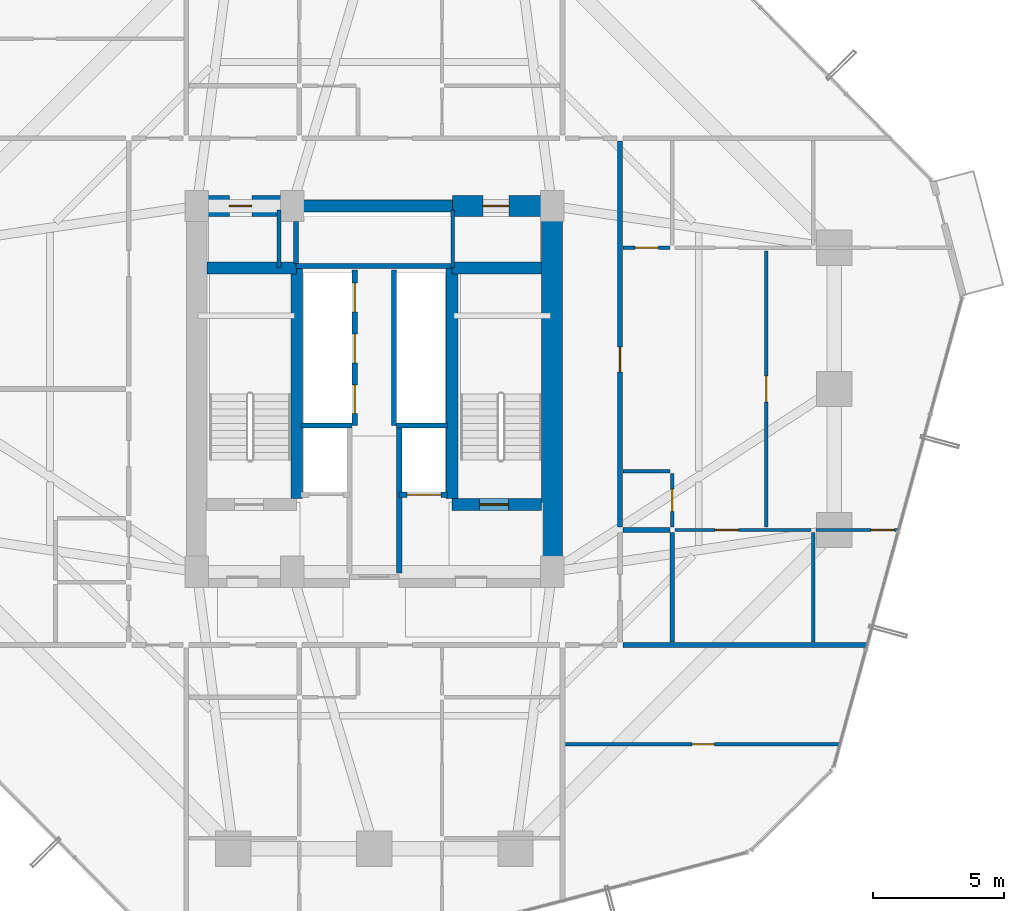
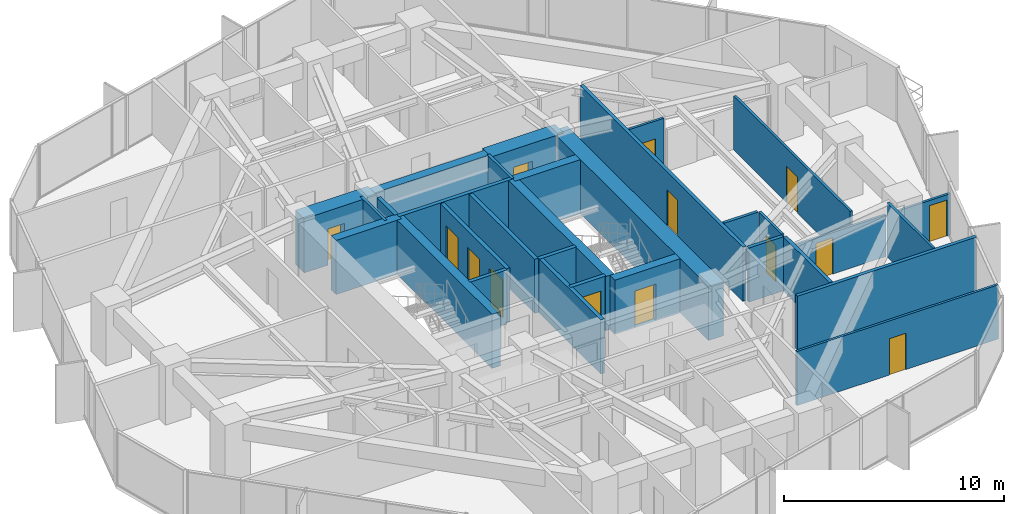
# One storey, part 35 of 39: 31 walls, 14 doors, 14 openings.
"""IFC4 building model written with IfcOpenShell, lengths in metres."""

from ifc_helpers import new_model, si_unit, direction, frame, frame_2d, origin, place, context, subcontext, project, spatial, rectangle, extrude, source, transform, mapped, material, layer, layer_set, type_object, element, fill, save


model = new_model("IFC4")

# Units and contexts
model_context = context("Model", 3, precision=1e-05, world=origin(), true_north=direction((0.0, 1.0)))
body_context = subcontext(model_context, "Body", "Model", "MODEL_VIEW")
ifc_project = project(units=[si_unit("LENGTHUNIT", "METRE"), si_unit("AREAUNIT", "SQUARE_METRE"), si_unit("VOLUMEUNIT", "CUBIC_METRE"), si_unit("PLANEANGLEUNIT", "RADIAN"), si_unit("MASSUNIT", "GRAM", prefix="KILO")], contexts=[model_context])

# Site, building, storey
site_placement = place(None, origin())
site = spatial("IfcSite", under=ifc_project, at=site_placement, CompositionType="ELEMENT")
building_placement = place(site_placement, origin())
building = spatial("IfcBuilding", under=site, at=building_placement, Name="Veraguas Prism Commons", CompositionType="ELEMENT")
storey_placement = place(building_placement, frame((0.0, 0.0, 73.85009765625)))
storey = spatial("IfcBuildingStorey", under=building, at=storey_placement, Name="L20", CompositionType="ELEMENT", Elevation=73.85009765625)

# Wall
ifc_material_1 = material(Name="Concrete C60/75", Category="concrete")
ifc_layer_1 = layer(ifc_material_1, 0.449951171875, Name="Core Internal Shear Wall Lower RC 450", Category="concrete")
ifc_layer_set_1 = layer_set([ifc_layer_1], Name="Concrete C60/75")
wall_type_1 = type_object("IfcWallType", Name="Core Internal Shear Wall Lower RC 450", PredefinedType="SHEAR", material=ifc_layer_set_1)
wall_1_placement = place(storey_placement, frame((21.0, 31.0, 0.0), z_axis=(0.0, 0.0, 1.0), x_axis=(1.0, 0.0, 0.0)))
element("IfcWall", 1, at=wall_1_placement, inside=storey, type_object=wall_type_1, Name="High-Rise Lift Bank Front Shear Wall L20", PredefinedType="SHEAR", context=body_context, shape_type="SweptSolid", body=[
    extrude(rectangle(XDim=6.0, YDim=0.449951171875, at=frame_2d((3.0, 0.0))), origin(), (0.0, 0.0, 1.0), 3.0),
])

# Wall, opening, door
wall_2_placement = place(storey_placement, frame((26.97509765625, 19.574951171875, 0.0), z_axis=(0.0, 0.0, 1.0), x_axis=(1.0, 0.0, 0.0)))
wall_2 = element("IfcWall", 2, at=wall_2_placement, inside=storey, type_object=wall_type_1, Name="Stair ST-02 South Shear Wall L20", PredefinedType="SHEAR", context=body_context, shape_type="SweptSolid", body=[
    extrude(rectangle(XDim=3.4248046875, YDim=0.449951171875, at=frame_2d((1.71240234375, 0.0))), origin(), (0.0, 0.0, 1.0), 3.0),
])
opening_1_placement = place(wall_2_placement, frame((1.050048828125, 0.0, 0.0)))
opening_1 = element("IfcOpeningElement", 3, at=opening_1_placement, cuts=wall_2, Name="Opening DR-05", PredefinedType="OPENING", context=body_context, shape_type="SweptSolid", body=[
    extrude(rectangle(XDim=1.10009765625, YDim=2.030029296875, at=frame_2d((0.550048828125, 1.01513671875))), frame((0.0, 0.23486328125, 0.0), z_axis=(0.0, -1.0, 0.0), x_axis=(1.0, 0.0, 0.0)), (0.0, 0.0, 1.0), 0.469970703125),
])
ifc_material_2 = material(Name="Steel fire-rated door assembly", Category="steel")
door_type_1 = type_object("IfcDoorType", Name="Protected Stair and Refuge Fire Door 1100x2030", OperationType="NOTDEFINED", PredefinedType="DOOR", material=ifc_material_2)
shared_shape_1 = source(origin(), body_context, "Body", "SweptSolid", [
    extrude(rectangle(XDim=1.10009765625, YDim=2.030029296875, at=frame_2d((0.550048828125, 1.01513671875))), frame((0.0, 0.02490234375, 0.0), z_axis=(0.0, -1.0, 0.0), x_axis=(1.0, 0.0, 0.0)), (0.0, 0.0, 1.0), 0.050048828125),
])
door_1_placement = place(opening_1_placement, origin())
door_1 = element("IfcDoor", 4, at=door_1_placement, inside=storey, type_object=door_type_1, Name="Stair ST-02 Enclosure Door L20", OperationType="SINGLE_SWING_LEFT", OverallHeight=2.030029296875, OverallWidth=1.10009765625, PredefinedType="DOOR", context=body_context, shape_type="MappedRepresentation", body=[
    mapped(shared_shape_1, transform((0.0, 0.0, 0.0), scale=1.0)),
])
fill(opening_1, door_1)

# Walls
for number, where, z_axis, x_axis, name in (
    (5, (21.02490234375, 19.800048828125, 0.0), (0.0, 0.0, 1.0), (0.0, 1.0, 0.0), "Stair ST-01 Inner Shear Wall L20"),
    (6, (26.97509765625, 19.800048828125, 0.0), (0.0, 0.0, 1.0), (0.0, 1.0, 0.0), "Stair ST-02 Inner Shear Wall L20"),
):
    element("IfcWall", number, at=place(storey_placement, frame(where, z_axis=z_axis, x_axis=x_axis)), inside=storey, type_object=wall_type_1, Name=name, PredefinedType="SHEAR", context=body_context, shape_type="SweptSolid", body=[
        extrude(rectangle(XDim=8.824951171875, YDim=0.449951171875, at=frame_2d((4.41259765625, 0.0))), origin(), (0.0, 0.0, 1.0), 3.0),
    ])
for number, where, z_axis, x_axis, name in (
    (7, (17.60009765625, 28.625, 0.0), (0.0, 0.0, 1.0), (1.0, 0.0, 0.0), "Stair ST-01 North Shear Wall L20"),
    (8, (26.97509765625, 28.625, 0.0), (0.0, 0.0, 1.0), (1.0, 0.0, 0.0), "Stair ST-02 North Shear Wall L20"),
):
    element("IfcWall", number, at=place(storey_placement, frame(where, z_axis=z_axis, x_axis=x_axis)), inside=storey, type_object=wall_type_1, Name=name, PredefinedType="SHEAR", context=body_context, shape_type="SweptSolid", body=[
        extrude(rectangle(XDim=3.4248046875, YDim=0.449951171875, at=frame_2d((1.71240234375, 0.0))), origin(), (0.0, 0.0, 1.0), 3.0),
    ])
ifc_layer_2 = layer(ifc_material_1, 0.800048828125, Name="Core Outer Shear Wall Lower RC 800", Category="concrete")
ifc_layer_set_2 = layer_set([ifc_layer_2], Name="Concrete C60/75")
wall_type_2 = type_object("IfcWallType", Name="Core Outer Shear Wall Lower RC 800", PredefinedType="SHEAR", material=ifc_layer_set_2)
wall_3_placement = place(storey_placement, frame((30.800048828125, 16.800048828125, 0.0), z_axis=(0.0, 0.0, 1.0), x_axis=(0.0, 1.0, 0.0)))
element("IfcWall", 9, at=wall_3_placement, inside=storey, type_object=wall_type_2, Name="Central Core East Shear Wall L20", PredefinedType="SHEAR", context=body_context, shape_type="SweptSolid", body=[
    extrude(rectangle(XDim=14.199951171875, YDim=0.800048828125, at=frame_2d((7.10009765625, 0.0))), origin(), (0.0, 0.0, 1.0), 3.0),
])

# Wall, opening, door
wall_4_placement = place(storey_placement, frame((17.199951171875, 31.0, 0.0), z_axis=(0.0, 0.0, 1.0), x_axis=(1.0, 0.0, 0.0)))
wall_4 = element("IfcWall", 10, at=wall_4_placement, inside=storey, type_object=wall_type_2, Name="Central Core North-West Shear Wall L20", PredefinedType="SHEAR", context=body_context, shape_type="SweptSolid", body=[
    extrude(rectangle(XDim=3.800048828125, YDim=0.800048828125, at=frame_2d((1.89990234375, 0.0))), origin(), (0.0, 0.0, 1.0), 3.0),
])
opening_2_placement = place(wall_4_placement, frame((1.25, 0.0, 0.0)))
opening_2 = element("IfcOpeningElement", 11, at=opening_2_placement, cuts=wall_4, Name="Opening DR-12", PredefinedType="OPENING", context=body_context, shape_type="SweptSolid", body=[
    extrude(rectangle(XDim=0.860107421875, YDim=2.010009765625, at=frame_2d((0.43017578125, 1.0048828125))), frame((0.0, 0.409912109375, 0.0), z_axis=(0.0, -1.0, 0.0), x_axis=(1.0, 0.0, 0.0)), (0.0, 0.0, 1.0), 0.820068359375),
])
door_type_2 = type_object("IfcDoorType", Name="Core WC Fire Door 860x2010", OperationType="NOTDEFINED", PredefinedType="DOOR", material=ifc_material_2)
shared_shape_2 = source(origin(), body_context, "Body", "SweptSolid", [
    extrude(rectangle(XDim=0.860107421875, YDim=2.010009765625, at=frame_2d((0.43017578125, 1.0048828125))), frame((0.0, 0.02490234375, 0.0), z_axis=(0.0, -1.0, 0.0), x_axis=(1.0, 0.0, 0.0)), (0.0, 0.0, 1.0), 0.050048828125),
])
door_2_placement = place(opening_2_placement, origin())
door_2 = element("IfcDoor", 12, at=door_2_placement, inside=storey, type_object=door_type_2, Name="Core NW Service Door L20", OperationType="SINGLE_SWING_RIGHT", OverallHeight=2.010009765625, OverallWidth=0.860107421875, PredefinedType="DOOR", context=body_context, shape_type="MappedRepresentation", body=[
    mapped(shared_shape_2, transform((0.0, 0.0, 0.0), scale=1.0)),
])
fill(opening_2, door_2)

wall_5_placement = place(storey_placement, frame((27.0, 31.0, 0.0), z_axis=(0.0, 0.0, 1.0), x_axis=(1.0, 0.0, 0.0)))
wall_5 = element("IfcWall", 13, at=wall_5_placement, inside=storey, type_object=wall_type_2, Name="Central Core North-East Shear Wall L20", PredefinedType="SHEAR", context=body_context, shape_type="SweptSolid", body=[
    extrude(rectangle(XDim=3.800048828125, YDim=0.800048828125, at=frame_2d((1.89990234375, 0.0))), origin(), (0.0, 0.0, 1.0), 3.0),
])
opening_3_placement = place(wall_5_placement, frame((1.14990234375, 0.0, 0.0)))
opening_3 = element("IfcOpeningElement", 14, at=opening_3_placement, cuts=wall_5, Name="Opening DR-13", PredefinedType="OPENING", context=body_context, shape_type="SweptSolid", body=[
    extrude(rectangle(XDim=1.0, YDim=2.010009765625, at=frame_2d((0.5, 1.0048828125))), frame((0.0, 0.409912109375, 0.0), z_axis=(0.0, -1.0, 0.0), x_axis=(1.0, 0.0, 0.0)), (0.0, 0.0, 1.0), 0.820068359375),
])
door_type_3 = type_object("IfcDoorType", Name="Core Accessible WC and Clinic Fire Door 1000x2010", OperationType="NOTDEFINED", PredefinedType="DOOR", material=ifc_material_2)
shared_shape_3 = source(origin(), body_context, "Body", "SweptSolid", [
    extrude(rectangle(XDim=1.0, YDim=2.010009765625, at=frame_2d((0.5, 1.0048828125))), frame((0.0, 0.02490234375, 0.0), z_axis=(0.0, -1.0, 0.0), x_axis=(1.0, 0.0, 0.0)), (0.0, 0.0, 1.0), 0.050048828125),
])
door_3_placement = place(opening_3_placement, origin())
door_3 = element("IfcDoor", 15, at=door_3_placement, inside=storey, type_object=door_type_3, Name="Core NE Pantry Door L20", OperationType="SINGLE_SWING_LEFT", OverallHeight=2.010009765625, OverallWidth=1.0, PredefinedType="DOOR", context=body_context, shape_type="MappedRepresentation", body=[
    mapped(shared_shape_3, transform((0.0, 0.0, 0.0), scale=1.0)),
])
fill(opening_3, door_3)

# Wall
ifc_material_3 = material(Name="Autoclaved aerated masonry block 10 MPa", Category="masonry")
ifc_layer_3 = layer(ifc_material_3, 0.179931640625, Name="Corridor and Inter-Tenancy Partition 180", Category="masonry")
ifc_layer_set_3 = layer_set([ifc_layer_3], Name="Autoclaved aerated masonry block 10 MPa")
wall_type_3 = type_object("IfcWallType", Name="Corridor and Inter-Tenancy Partition 180", PredefinedType="PARTITIONING", material=ifc_layer_set_3)
wall_6_placement = place(storey_placement, frame((33.52001953125, 14.199951171875, 0.0), z_axis=(0.0, 0.0, 1.0), x_axis=(1.0, 0.0, 0.0)))
element("IfcWall", 16, at=wall_6_placement, inside=storey, type_object=wall_type_3, Name="WL-L20-PT044", PredefinedType="PARTITIONING", context=body_context, shape_type="SweptSolid", body=[
    extrude(rectangle(XDim=9.37841796875, YDim=0.179931640625, at=frame_2d((4.689208984375, 0.0))), origin(), (0.0, 0.0, 1.0), 3.0),
])

# Wall, opening, door
wall_7_placement = place(storey_placement, frame((33.39990234375, 18.7099609375, 0.0), z_axis=(0.0, 0.0, 1.0), x_axis=(0.0, 1.0, 0.0)))
wall_7 = element("IfcWall", 17, at=wall_7_placement, inside=storey, type_object=wall_type_3, Name="WL-L20-PT047", PredefinedType="PARTITIONING", context=body_context, shape_type="SweptSolid", body=[
    extrude(rectangle(XDim=14.780029296875, YDim=0.179931640625, at=frame_2d((7.39013671875, 0.0))), origin(), (0.0, 0.0, 1.0), 3.0),
])
opening_4_placement = place(wall_7_placement, frame((5.93994140625, 0.0, 0.0)))
opening_4 = element("IfcOpeningElement", 18, at=opening_4_placement, cuts=wall_7, Name="Opening DR-01", PredefinedType="OPENING", context=body_context, shape_type="SweptSolid", body=[
    extrude(rectangle(XDim=0.949951171875, YDim=2.02001953125, at=frame_2d((0.47509765625, 1.010009765625))), frame((0.0, 0.099853515625, 0.0), z_axis=(0.0, -1.0, 0.0), x_axis=(1.0, 0.0, 0.0)), (0.0, 0.0, 1.0), 0.199951171875),
])
ifc_material_4 = material(Name="Anodised aluminium EN AW-6063 T6", Category="aluminium")
door_type_4 = type_object("IfcDoorType", Name="Apartment Entrance Fire Door 950x2020", OperationType="NOTDEFINED", PredefinedType="DOOR", material=ifc_material_4)
shared_shape_4 = source(origin(), body_context, "Body", "SweptSolid", [
    extrude(rectangle(XDim=0.949951171875, YDim=2.02001953125, at=frame_2d((0.47509765625, 1.010009765625))), frame((0.0, 0.02490234375, 0.0), z_axis=(0.0, -1.0, 0.0), x_axis=(1.0, 0.0, 0.0)), (0.0, 0.0, 1.0), 0.050048828125),
])
door_4_placement = place(opening_4_placement, origin())
door_4 = element("IfcDoor", 19, at=door_4_placement, inside=storey, type_object=door_type_4, Name="Flat 20C Entrance Door", OperationType="SINGLE_SWING_LEFT", OverallHeight=2.02001953125, OverallWidth=0.949951171875, PredefinedType="DOOR", context=body_context, shape_type="MappedRepresentation", body=[
    mapped(shared_shape_4, transform((0.0, 0.0, 0.0), scale=1.0)),
])
fill(opening_4, door_4)

# Walls
wall_8_placement = place(storey_placement, frame((35.39990234375, 14.320068359375, 0.0), z_axis=(0.0, 0.0, 1.0), x_axis=(0.0, 1.0, 0.0)))
element("IfcWall", 20, at=wall_8_placement, inside=storey, type_object=wall_type_3, Name="WL-L20-PT053", PredefinedType="PARTITIONING", context=body_context, shape_type="SweptSolid", body=[
    extrude(rectangle(XDim=4.179931640625, YDim=0.179931640625, at=frame_2d((2.08984375, 0.0))), origin(), (0.0, 0.0, 1.0), 3.0),
])
wall_9_placement = place(storey_placement, frame((33.52001953125, 18.60009765625, 0.0), z_axis=(0.0, 0.0, 1.0), x_axis=(1.0, 0.0, 0.0)))
element("IfcWall", 21, at=wall_9_placement, inside=storey, type_object=wall_type_3, Name="WL-L20-PT054", PredefinedType="PARTITIONING", context=body_context, shape_type="SweptSolid", body=[
    extrude(rectangle(XDim=1.800048828125, YDim=0.179931640625, at=frame_2d((0.89990234375, 0.0))), origin(), (0.0, 0.0, 1.0), 3.0),
])
ifc_material_5 = material(Name="Lightweight acoustic gypsum board")
ifc_layer_4 = layer(ifc_material_5, 0.125, Name="Internal Apartment Room Partition 125")
ifc_layer_set_4 = layer_set([ifc_layer_4], Name="Lightweight acoustic gypsum board")
wall_type_4 = type_object("IfcWallType", Name="Internal Apartment Room Partition 125", PredefinedType="PARTITIONING", material=ifc_layer_set_4)
wall_10_placement = place(storey_placement, frame((40.800048828125, 14.320068359375, 0.0), z_axis=(0.0, 0.0, 1.0), x_axis=(0.0, 1.0, 0.0)))
element("IfcWall", 22, at=wall_10_placement, inside=storey, type_object=wall_type_4, Name="WL-L20-PT048", PredefinedType="PARTITIONING", context=body_context, shape_type="SweptSolid", body=[
    extrude(rectangle(XDim=4.179931640625, YDim=0.125, at=frame_2d((2.08984375, 0.0))), origin(), (0.0, 0.0, 1.0), 3.0),
])

# Wall, opening, door
wall_11_placement = place(storey_placement, frame((40.89990234375, 18.60009765625, 0.0), z_axis=(0.0, 0.0, 1.0), x_axis=(1.0, 0.0, 0.0)))
wall_11 = element("IfcWall", 23, at=wall_11_placement, inside=storey, type_object=wall_type_4, Name="WL-L20-PT049", PredefinedType="PARTITIONING", context=body_context, shape_type="SweptSolid", body=[
    extrude(rectangle(XDim=3.202392578125, YDim=0.125, at=frame_2d((1.60107421875, 0.0))), origin(), (0.0, 0.0, 1.0), 2.298828125),
])
opening_5_placement = place(wall_11_placement, frame((2.102294921875, 0.0, 0.0)))
opening_5 = element("IfcOpeningElement", 24, at=opening_5_placement, cuts=wall_11, Name="Opening DR-02", PredefinedType="OPENING", context=body_context, shape_type="SweptSolid", body=[
    extrude(rectangle(XDim=0.89990234375, YDim=2.010009765625, at=frame_2d((0.449951171875, 1.0048828125))), frame((0.0, 0.072509765625, 0.0), z_axis=(0.0, -1.0, 0.0), x_axis=(1.0, 0.0, 0.0)), (0.0, 0.0, 1.0), 0.14501953125),
])
ifc_material_6 = material(Name="Timber solid core hardwood", Category="wood")
door_type_5 = type_object("IfcDoorType", Name="Internal Habitable Room Door 900x2010", OperationType="NOTDEFINED", PredefinedType="DOOR", material=ifc_material_6)
shared_shape_5 = source(origin(), body_context, "Body", "SweptSolid", [
    extrude(rectangle(XDim=0.89990234375, YDim=2.010009765625, at=frame_2d((0.449951171875, 1.0048828125))), frame((0.0, 0.02490234375, 0.0), z_axis=(0.0, -1.0, 0.0), x_axis=(1.0, 0.0, 0.0)), (0.0, 0.0, 1.0), 0.050048828125),
])
door_5_placement = place(opening_5_placement, origin())
door_5 = element("IfcDoor", 25, at=door_5_placement, inside=storey, type_object=door_type_5, Name="Flat 20C Bedroom 3 Door", OperationType="SINGLE_SWING_RIGHT", OverallHeight=2.010009765625, OverallWidth=0.89990234375, PredefinedType="DOOR", context=body_context, shape_type="MappedRepresentation", body=[
    mapped(shared_shape_5, transform((0.0, 0.0, 0.0), scale=1.0)),
])
fill(opening_5, door_5)

wall_12_placement = place(storey_placement, frame((39.0, 18.719970703125, 0.0), z_axis=(0.0, 0.0, 1.0), x_axis=(0.0, 1.0, 0.0)))
wall_12 = element("IfcWall", 26, at=wall_12_placement, inside=storey, type_object=wall_type_4, Name="WL-L20-PT052", PredefinedType="PARTITIONING", context=body_context, shape_type="SweptSolid", body=[
    extrude(rectangle(XDim=10.56005859375, YDim=0.125, at=frame_2d((5.280029296875, 0.0))), origin(), (0.0, 0.0, 1.0), 3.0),
])
opening_6_placement = place(wall_12_placement, frame((4.780029296875, 0.0, 0.0)))
opening_6 = element("IfcOpeningElement", 27, at=opening_6_placement, cuts=wall_12, Name="Opening DR-04", PredefinedType="OPENING", context=body_context, shape_type="SweptSolid", body=[
    extrude(rectangle(XDim=1.0, YDim=2.010009765625, at=frame_2d((0.5, 1.0048828125))), frame((0.0, 0.072509765625, 0.0), z_axis=(0.0, -1.0, 0.0), x_axis=(1.0, 0.0, 0.0)), (0.0, 0.0, 1.0), 0.14501953125),
])
door_type_6 = type_object("IfcDoorType", Name="Accessible WC and Clinic Exam Door 1000x2010", OperationType="NOTDEFINED", PredefinedType="DOOR", material=ifc_material_4)
door_6_placement = place(opening_6_placement, origin())
door_6 = element("IfcDoor", 28, at=door_6_placement, inside=storey, type_object=door_type_6, Name="Flat 20C Sunroom Door", OperationType="SINGLE_SWING_RIGHT", OverallHeight=2.010009765625, OverallWidth=1.0, PredefinedType="DOOR", context=body_context, shape_type="MappedRepresentation", body=[
    mapped(shared_shape_3, transform((0.0, 0.0, 0.0), scale=1.0)),
])
fill(opening_6, door_6)

wall_13_placement = place(storey_placement, frame((35.5, 18.60009765625, 0.0), z_axis=(0.0, 0.0, 1.0), x_axis=(1.0, 0.0, 0.0)))
wall_13 = element("IfcWall", 29, at=wall_13_placement, inside=storey, type_object=wall_type_4, Name="WL-L20-PT055", PredefinedType="PARTITIONING", context=body_context, shape_type="SweptSolid", body=[
    extrude(rectangle(XDim=5.219970703125, YDim=0.125, at=frame_2d((2.60986328125, 0.0))), origin(), (0.0, 0.0, 1.0), 2.298828125),
])
opening_7_placement = place(wall_13_placement, frame((1.53271484375, 0.0, 0.0)))
opening_7 = element("IfcOpeningElement", 30, at=opening_7_placement, cuts=wall_13, Name="Opening DR-02", PredefinedType="OPENING", context=body_context, shape_type="SweptSolid", body=[
    extrude(rectangle(XDim=0.89990234375, YDim=2.010009765625, at=frame_2d((0.449951171875, 1.0048828125))), frame((0.0, 0.072509765625, 0.0), z_axis=(0.0, -1.0, 0.0), x_axis=(1.0, 0.0, 0.0)), (0.0, 0.0, 1.0), 0.14501953125),
])
door_7_placement = place(opening_7_placement, origin())
door_7 = element("IfcDoor", 31, at=door_7_placement, inside=storey, type_object=door_type_5, Name="Flat 20C Bedroom 2 Door", OperationType="SINGLE_SWING_LEFT", OverallHeight=2.010009765625, OverallWidth=0.89990234375, PredefinedType="DOOR", context=body_context, shape_type="MappedRepresentation", body=[
    mapped(shared_shape_5, transform((0.0, 0.0, 0.0), scale=1.0)),
])
fill(opening_7, door_7)

wall_14_placement = place(storey_placement, frame((35.39990234375, 18.719970703125, 0.0), z_axis=(0.0, 0.0, 1.0), x_axis=(0.0, 1.0, 0.0)))
wall_14 = element("IfcWall", 32, at=wall_14_placement, inside=storey, type_object=wall_type_4, Name="WL-L20-PT057", PredefinedType="PARTITIONING", context=body_context, shape_type="SweptSolid", body=[
    extrude(rectangle(XDim=2.050048828125, YDim=0.125, at=frame_2d((1.02490234375, 0.0))), origin(), (0.0, 0.0, 1.0), 3.0),
])
opening_8_placement = place(wall_14_placement, frame((0.594970703125, 0.0, 0.0)))
opening_8 = element("IfcOpeningElement", 33, at=opening_8_placement, cuts=wall_14, Name="Opening DR-03", PredefinedType="OPENING", context=body_context, shape_type="SweptSolid", body=[
    extrude(rectangle(XDim=0.860107421875, YDim=2.010009765625, at=frame_2d((0.43017578125, 1.0048828125))), frame((0.0, 0.072509765625, 0.0), z_axis=(0.0, -1.0, 0.0), x_axis=(1.0, 0.0, 0.0)), (0.0, 0.0, 1.0), 0.14501953125),
])
ifc_material_7 = material(Name="Timber moisture-resistant leaf", Category="wood")
door_type_7 = type_object("IfcDoorType", Name="Internal Bathroom Door 860x2010", OperationType="NOTDEFINED", PredefinedType="DOOR", material=ifc_material_7)
door_8_placement = place(opening_8_placement, origin())
door_8 = element("IfcDoor", 34, at=door_8_placement, inside=storey, type_object=door_type_7, Name="Flat 20C Bathroom Door", OperationType="SINGLE_SWING_RIGHT", OverallHeight=2.010009765625, OverallWidth=0.860107421875, PredefinedType="DOOR", context=body_context, shape_type="MappedRepresentation", body=[
    mapped(shared_shape_2, transform((0.0, 0.0, 0.0), scale=1.0)),
])
fill(opening_8, door_8)

wall_15_placement = place(storey_placement, frame((33.52001953125, 29.39990234375, 0.0), z_axis=(0.0, 0.0, 1.0), x_axis=(1.0, 0.0, 0.0)))
wall_15 = element("IfcWall", 35, at=wall_15_placement, inside=storey, type_object=wall_type_4, Name="WL-L20-PT058", PredefinedType="PARTITIONING", context=body_context, shape_type="SweptSolid", body=[
    extrude(rectangle(XDim=1.800048828125, YDim=0.125, at=frame_2d((0.89990234375, 0.0))), origin(), (0.0, 0.0, 1.0), 3.0),
])
opening_9_placement = place(wall_15_placement, frame((0.449951171875, 0.0, 0.0)))
opening_9 = element("IfcOpeningElement", 36, at=opening_9_placement, cuts=wall_15, Name="Opening DR-02", PredefinedType="OPENING", context=body_context, shape_type="SweptSolid", body=[
    extrude(rectangle(XDim=0.89990234375, YDim=2.010009765625, at=frame_2d((0.449951171875, 1.0048828125))), frame((0.0, 0.072509765625, 0.0), z_axis=(0.0, -1.0, 0.0), x_axis=(1.0, 0.0, 0.0)), (0.0, 0.0, 1.0), 0.14501953125),
])
door_9_placement = place(opening_9_placement, origin())
door_9 = element("IfcDoor", 37, at=door_9_placement, inside=storey, type_object=door_type_5, Name="Flat 20C Kitchen Door", OperationType="SINGLE_SWING_LEFT", OverallHeight=2.010009765625, OverallWidth=0.89990234375, PredefinedType="DOOR", context=body_context, shape_type="MappedRepresentation", body=[
    mapped(shared_shape_5, transform((0.0, 0.0, 0.0), scale=1.0)),
])
fill(opening_9, door_9)

wall_16_placement = place(storey_placement, frame((31.320068359375, 10.39990234375, 0.0), z_axis=(0.0, 0.0, 1.0), x_axis=(1.0, 0.0, 0.0)))
wall_16 = element("IfcWall", 38, at=wall_16_placement, inside=storey, type_object=wall_type_4, Name="WL-L20-PT063", PredefinedType="PARTITIONING", context=body_context, shape_type="SweptSolid", body=[
    extrude(rectangle(XDim=10.538818359375, YDim=0.125, at=frame_2d((5.26953125, 0.0))), origin(), (0.0, 0.0, 1.0), 3.0),
])
opening_10_placement = place(wall_16_placement, frame((4.839599609375, 0.0, 0.0)))
opening_10 = element("IfcOpeningElement", 39, at=opening_10_placement, cuts=wall_16, Name="Opening DR-03", PredefinedType="OPENING", context=body_context, shape_type="SweptSolid", body=[
    extrude(rectangle(XDim=0.860107421875, YDim=2.010009765625, at=frame_2d((0.43017578125, 1.0048828125))), frame((0.0, 0.072509765625, 0.0), z_axis=(0.0, -1.0, 0.0), x_axis=(1.0, 0.0, 0.0)), (0.0, 0.0, 1.0), 0.14501953125),
])
door_10_placement = place(opening_10_placement, origin())
door_10 = element("IfcDoor", 40, at=door_10_placement, inside=storey, type_object=door_type_7, Name="Corner Store SE Door", OperationType="SINGLE_SWING_LEFT", OverallHeight=2.010009765625, OverallWidth=0.860107421875, PredefinedType="DOOR", context=body_context, shape_type="MappedRepresentation", body=[
    mapped(shared_shape_2, transform((0.0, 0.0, 0.0), scale=1.0)),
])
fill(opening_10, door_10)

ifc_layer_5 = layer(ifc_material_3, 0.199951171875, Name="Rated Shaft and Lobby Block Wall 200", Category="masonry")
ifc_layer_set_5 = layer_set([ifc_layer_5], Name="Autoclaved aerated masonry block 10 MPa")
wall_type_5 = type_object("IfcWallType", Name="Rated Shaft and Lobby Block Wall 200", PredefinedType="SOLIDWALL", material=ifc_layer_set_5)
wall_17_placement = place(storey_placement, frame((24.949951171875, 19.949951171875, 0.0), z_axis=(0.0, 0.0, 1.0), x_axis=(1.0, 0.0, 0.0)))
wall_17 = element("IfcWall", 41, at=wall_17_placement, inside=storey, type_object=wall_type_5, Name="Firefighting Lift FFL-2 Front Wall L20", PredefinedType="SOLIDWALL", context=body_context, shape_type="SweptSolid", body=[
    extrude(rectangle(XDim=1.85009765625, YDim=0.199951171875, at=frame_2d((0.925048828125, 0.0))), origin(), (0.0, 0.0, 1.0), 3.0),
])
opening_11_placement = place(wall_17_placement, frame((0.300048828125, 0.0, 0.0)))
opening_11 = element("IfcOpeningElement", 42, at=opening_11_placement, cuts=wall_17, Name="Opening LD-02", PredefinedType="OPENING", context=body_context, shape_type="SweptSolid", body=[
    extrude(rectangle(XDim=1.300048828125, YDim=2.25, at=frame_2d((0.64990234375, 1.125))), frame((0.0, 0.10986328125, 0.0), z_axis=(0.0, -1.0, 0.0), x_axis=(1.0, 0.0, 0.0)), (0.0, 0.0, 1.0), 0.219970703125),
])
ifc_material_8 = material(Name="Stainless steel AISI 316", Category="steel")
door_type_8 = type_object("IfcDoorType", Name="Firefighting Lift Sliding Landing Door 1300x2250", OperationType="NOTDEFINED", PredefinedType="DOOR", material=ifc_material_8)
shared_shape_6 = source(origin(), body_context, "Body", "SweptSolid", [
    extrude(rectangle(XDim=1.300048828125, YDim=2.25, at=frame_2d((0.64990234375, 1.125))), frame((0.0, 0.02490234375, 0.0), z_axis=(0.0, -1.0, 0.0), x_axis=(1.0, 0.0, 0.0)), (0.0, 0.0, 1.0), 0.050048828125),
])
door_11_placement = place(opening_11_placement, origin())
door_11 = element("IfcDoor", 43, at=door_11_placement, inside=storey, type_object=door_type_8, Name="Firefighting Lift FFL-2 Front Wall L20", OperationType="SLIDING_TO_LEFT", OverallHeight=2.25, OverallWidth=1.300048828125, PredefinedType="DOOR", context=body_context, shape_type="MappedRepresentation", body=[
    mapped(shared_shape_6, transform((0.0, 0.0, 0.0), scale=1.0)),
])
fill(opening_11, door_11)

# Walls
wall_18_placement = place(storey_placement, frame((24.949951171875, 16.949951171875, 0.0), z_axis=(0.0, 0.0, 1.0), x_axis=(0.0, 1.0, 0.0)))
element("IfcWall", 44, at=wall_18_placement, inside=storey, type_object=wall_type_5, Name="East FF Lobby Divider Wall L20", PredefinedType="SOLIDWALL", context=body_context, shape_type="SweptSolid", body=[
    extrude(rectangle(XDim=5.60009765625, YDim=0.199951171875, at=frame_2d((2.800048828125, 0.0))), origin(), (0.0, 0.0, 1.0), 3.0),
])
for number, where, z_axis, x_axis, name in (
    (45, (21.199951171875, 22.60009765625, 0.0), (0.0, 0.0, 1.0), (1.0, 0.0, 0.0), "Firefighting Lift FFL-1 Rear Wall L20"),
    (46, (24.85009765625, 22.60009765625, 0.0), (0.0, 0.0, 1.0), (1.0, 0.0, 0.0), "Firefighting Lift FFL-2 Rear Wall L20"),
):
    element("IfcWall", number, at=place(storey_placement, frame(where, z_axis=z_axis, x_axis=x_axis)), inside=storey, type_object=wall_type_5, Name=name, PredefinedType="SOLIDWALL", context=body_context, shape_type="SweptSolid", body=[
        extrude(rectangle(XDim=1.949951171875, YDim=0.199951171875, at=frame_2d((0.97509765625, 0.0))), origin(), (0.0, 0.0, 1.0), 3.0),
    ])
wall_19_placement = place(storey_placement, frame((21.0, 28.699951171875, 0.0), z_axis=(0.0, 0.0, 1.0), x_axis=(1.0, 0.0, 0.0)))
element("IfcWall", 47, at=wall_19_placement, inside=storey, type_object=wall_type_5, Name="High-Rise Lift Bank Rear Shaft Wall L20", PredefinedType="SOLIDWALL", context=body_context, shape_type="SweptSolid", body=[
    extrude(rectangle(XDim=6.0, YDim=0.199951171875, at=frame_2d((3.0, 0.0))), origin(), (0.0, 0.0, 1.0), 3.0),
])
wall_20_placement = place(storey_placement, frame((21.0, 28.800048828125, 0.0), z_axis=(0.0, 0.0, 1.0), x_axis=(0.0, 1.0, 0.0)))
element("IfcWall", 48, at=wall_20_placement, inside=storey, type_object=wall_type_5, Name="High-Rise Lift Bank West Shaft Wall L20", PredefinedType="SOLIDWALL", context=body_context, shape_type="SweptSolid", body=[
    extrude(rectangle(XDim=1.599853515625, YDim=0.199951171875, at=frame_2d((0.7998046875, 0.0))), origin(), (0.0, 0.0, 1.0), 3.0),
])

# Wall, openings, doors
wall_21_placement = place(storey_placement, frame((23.25, 22.60009765625, 0.0), z_axis=(0.0, 0.0, 1.0), x_axis=(0.0, 1.0, 0.0)))
wall_21 = element("IfcWall", 49, at=wall_21_placement, inside=storey, type_object=wall_type_5, Name="Low-Rise Lift Bank Front Wall L20", PredefinedType="SOLIDWALL", context=body_context, shape_type="SweptSolid", body=[
    extrude(rectangle(XDim=5.949951171875, YDim=0.199951171875, at=frame_2d((2.97509765625, 0.0))), origin(), (0.0, 0.0, 1.0), 3.0),
])
opening_12_placement = place(wall_21_placement, frame((0.449951171875, 0.0, 0.0)))
opening_12 = element("IfcOpeningElement", 50, at=opening_12_placement, cuts=wall_21, Name="Opening LD-01", PredefinedType="OPENING", context=body_context, shape_type="SweptSolid", body=[
    extrude(rectangle(XDim=1.10009765625, YDim=2.080078125, at=frame_2d((0.550048828125, 1.0400390625))), frame((0.0, 0.10986328125, 0.0), z_axis=(0.0, -1.0, 0.0), x_axis=(1.0, 0.0, 0.0)), (0.0, 0.0, 1.0), 0.219970703125),
])
opening_13_placement = place(wall_21_placement, frame((2.39990234375, 0.0, 0.0)))
opening_13 = element("IfcOpeningElement", 51, at=opening_13_placement, cuts=wall_21, Name="Opening LD-01", PredefinedType="OPENING", context=body_context, shape_type="SweptSolid", body=[
    extrude(rectangle(XDim=1.10009765625, YDim=2.080078125, at=frame_2d((0.550048828125, 1.0400390625))), frame((0.0, 0.10986328125, 0.0), z_axis=(0.0, -1.0, 0.0), x_axis=(1.0, 0.0, 0.0)), (0.0, 0.0, 1.0), 0.219970703125),
])
opening_14_placement = place(wall_21_placement, frame((4.35009765625, 0.0, 0.0)))
opening_14 = element("IfcOpeningElement", 52, at=opening_14_placement, cuts=wall_21, Name="Opening LD-01", PredefinedType="OPENING", context=body_context, shape_type="SweptSolid", body=[
    extrude(rectangle(XDim=1.10009765625, YDim=2.080078125, at=frame_2d((0.550048828125, 1.0400390625))), frame((0.0, 0.10986328125, 0.0), z_axis=(0.0, -1.0, 0.0), x_axis=(1.0, 0.0, 0.0)), (0.0, 0.0, 1.0), 0.219970703125),
])
door_type_9 = type_object("IfcDoorType", Name="Passenger Lift Sliding Landing Door 1100x2080", OperationType="NOTDEFINED", PredefinedType="DOOR", material=ifc_material_8)
shared_shape_7 = source(origin(), body_context, "Body", "SweptSolid", [
    extrude(rectangle(XDim=1.10009765625, YDim=2.080078125, at=frame_2d((0.550048828125, 1.0400390625))), frame((0.0, 0.02490234375, 0.0), z_axis=(0.0, -1.0, 0.0), x_axis=(1.0, 0.0, 0.0)), (0.0, 0.0, 1.0), 0.050048828125),
])
door_12_placement = place(opening_12_placement, origin())
door_12 = element("IfcDoor", 53, at=door_12_placement, inside=storey, type_object=door_type_9, Name="Sliding Landing Door PL-L1 L20", OperationType="SLIDING_TO_LEFT", OverallHeight=2.080078125, OverallWidth=1.10009765625, PredefinedType="DOOR", context=body_context, shape_type="MappedRepresentation", body=[
    mapped(shared_shape_7, transform((0.0, 0.0, 0.0), scale=1.0)),
])
fill(opening_12, door_12)
door_13_placement = place(opening_13_placement, origin())
door_13 = element("IfcDoor", 54, at=door_13_placement, inside=storey, type_object=door_type_9, Name="Sliding Landing Door PL-L2 L20", OperationType="SLIDING_TO_LEFT", OverallHeight=2.080078125, OverallWidth=1.10009765625, PredefinedType="DOOR", context=body_context, shape_type="MappedRepresentation", body=[
    mapped(shared_shape_7, transform((0.0, 0.0, 0.0), scale=1.0)),
])
fill(opening_13, door_13)
door_14_placement = place(opening_14_placement, origin())
door_14 = element("IfcDoor", 55, at=door_14_placement, inside=storey, type_object=door_type_9, Name="Sliding Landing Door PL-L3 L20", OperationType="SLIDING_TO_LEFT", OverallHeight=2.080078125, OverallWidth=1.10009765625, PredefinedType="DOOR", context=body_context, shape_type="MappedRepresentation", body=[
    mapped(shared_shape_7, transform((0.0, 0.0, 0.0), scale=1.0)),
])
fill(opening_14, door_14)

# Walls
wall_22_placement = place(storey_placement, frame((24.75, 22.60009765625, 0.0), z_axis=(0.0, 0.0, 1.0), x_axis=(0.0, 1.0, 0.0)))
element("IfcWall", 56, at=wall_22_placement, inside=storey, type_object=wall_type_5, Name="Mid-Rise Lift Bank Front Wall L20", PredefinedType="SOLIDWALL", context=body_context, shape_type="SweptSolid", body=[
    extrude(rectangle(XDim=5.949951171875, YDim=0.199951171875, at=frame_2d((2.97509765625, 0.0))), origin(), (0.0, 0.0, 1.0), 3.0),
])
ifc_layer_6 = layer(ifc_material_5, 0.14990234375, Name="Wet Room and Clinic Acoustic Partition 150")
ifc_layer_set_6 = layer_set([ifc_layer_6], Name="Lightweight acoustic gypsum board")
wall_type_6 = type_object("IfcWallType", Name="Wet Room and Clinic Acoustic Partition 150", PredefinedType="PARTITIONING", material=ifc_layer_set_6)
for number, where, z_axis, x_axis, name in (
    (57, (20.35009765625, 28.64990234375, 0.0), (0.0, 0.0, 1.0), (0.0, 1.0, 0.0), "Core NW Service Inner Wall L20"),
    (58, (27.0, 28.64990234375, 0.0), (0.0, 0.0, 1.0), (0.0, 1.0, 0.0), "Core NE Service Inner Wall L20"),
):
    element("IfcWall", number, at=place(storey_placement, frame(where, z_axis=z_axis, x_axis=x_axis)), inside=storey, type_object=wall_type_6, Name=name, PredefinedType="PARTITIONING", context=body_context, shape_type="SweptSolid", body=[
        extrude(rectangle(XDim=2.2001953125, YDim=0.14990234375, at=frame_2d((1.10009765625, 0.0))), origin(), (0.0, 0.0, 1.0), 3.0),
    ])
wall_23_placement = place(storey_placement, frame((33.52001953125, 20.85009765625, 0.0), z_axis=(0.0, 0.0, 1.0), x_axis=(1.0, 0.0, 0.0)))
element("IfcWall", 59, at=wall_23_placement, inside=storey, type_object=wall_type_6, Name="WL-L20-PT056", PredefinedType="PARTITIONING", context=body_context, shape_type="SweptSolid", body=[
    extrude(rectangle(XDim=1.800048828125, YDim=0.14990234375, at=frame_2d((0.89990234375, 0.0))), origin(), (0.0, 0.0, 1.0), 3.0),
])

save(model, "model.ifc")
